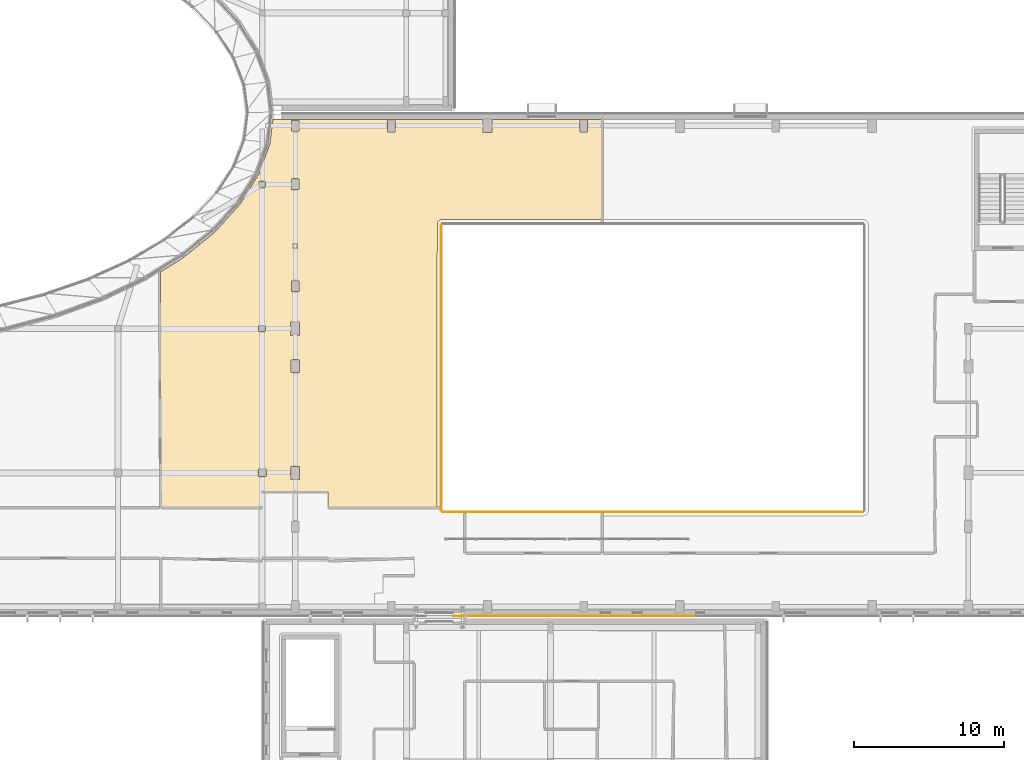
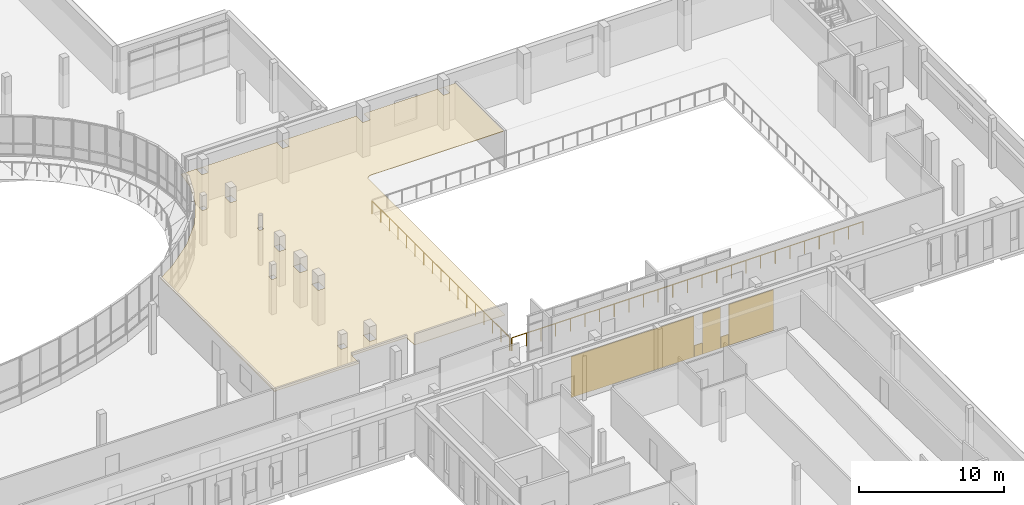
# One storey, part 72 of 84: 6 coverings, 2 railings.
"""IFC4 building model written with IfcOpenShell, lengths in metres."""

from ifc_helpers import new_model, si_unit, direction, frame, origin, origin_2d, place, context, subcontext, project, spatial, polyline, rectangle, circle, outline, extrude, material, layer, layer_set, type_object, element, save


model = new_model("IFC4")

# Units and contexts
model_context = context("Model", 3, precision=1e-05, world=origin(), true_north=direction((0.0, 1.0)))
body_context = subcontext(model_context, "Body", "Model", "MODEL_VIEW")
ifc_project = project(units=[si_unit("LENGTHUNIT", "METRE"), si_unit("AREAUNIT", "SQUARE_METRE"), si_unit("VOLUMEUNIT", "CUBIC_METRE"), si_unit("PLANEANGLEUNIT", "RADIAN"), si_unit("MASSUNIT", "GRAM", prefix="KILO")], contexts=[model_context])

# Site, building, storey
site_placement = place(None, origin())
site = spatial("IfcSite", under=ifc_project, at=site_placement, CompositionType="ELEMENT")
building_placement = place(site_placement, origin())
building = spatial("IfcBuilding", under=site, at=building_placement, Name="Mzevani Central Library", CompositionType="ELEMENT")
storey_placement = place(building_placement, frame((0.0, 0.0, 5.39990234375)))
storey = spatial("IfcBuildingStorey", under=building, at=storey_placement, Name="L01", CompositionType="ELEMENT", Elevation=5.39990234375)

# Railings
ifc_material_1 = material(Name="Brushed stainless steel rail", Category="steel")
railing_type = type_object("IfcRailingType", Name="Interior Gallery and Stair Guard 1100", PredefinedType="BALUSTRADE", material=ifc_material_1)
railing_1_placement = place(storey_placement, frame((152.0, 49.39990234375, 0.0)))
element("IfcRailing", 1, at=railing_1_placement, inside=storey, type_object=railing_type, Name="L01 V1 Double-Height Void Guard 1", PredefinedType="BALUSTRADE", context=body_context, shape_type="SweptSolid", body=[
    extrude(circle(Radius=0.02392578125, at=origin_2d()), frame((0.0, 0.0, 1.076171875), z_axis=(-1.0, 0.0, 0.0), x_axis=(0.0, -1.0, 0.0)), (0.0, 0.0, 1.0), 28.0),
    extrude(circle(Radius=0.02099609375, at=origin_2d()), origin(), (0.0, 0.0, 1.0), 1.052001953125),
    extrude(circle(Radius=0.02099609375, at=origin_2d()), frame((-1.166748046875, 0.0, 0.0)), (0.0, 0.0, 1.0), 1.052001953125),
    extrude(circle(Radius=0.02099609375, at=origin_2d()), frame((-2.333251953125, 0.0, 0.0)), (0.0, 0.0, 1.0), 1.052001953125),
    extrude(circle(Radius=0.02099609375, at=origin_2d()), frame((-3.5, 0.0, 0.0)), (0.0, 0.0, 1.0), 1.052001953125),
    extrude(circle(Radius=0.02099609375, at=origin_2d()), frame((-4.666748046875, 0.0, 0.0)), (0.0, 0.0, 1.0), 1.052001953125),
    extrude(circle(Radius=0.02099609375, at=origin_2d()), frame((-5.833251953125, 0.0, 0.0)), (0.0, 0.0, 1.0), 1.052001953125),
    extrude(circle(Radius=0.02099609375, at=origin_2d()), frame((-7.0, 0.0, 0.0)), (0.0, 0.0, 1.0), 1.052001953125),
    extrude(circle(Radius=0.02099609375, at=origin_2d()), frame((-8.166748046875, 0.0, 0.0)), (0.0, 0.0, 1.0), 1.052001953125),
    extrude(circle(Radius=0.02099609375, at=origin_2d()), frame((-9.333251953125, 0.0, 0.0)), (0.0, 0.0, 1.0), 1.052001953125),
    extrude(circle(Radius=0.02099609375, at=origin_2d()), frame((-10.5, 0.0, 0.0)), (0.0, 0.0, 1.0), 1.052001953125),
    extrude(circle(Radius=0.02099609375, at=origin_2d()), frame((-11.666748046875, 0.0, 0.0)), (0.0, 0.0, 1.0), 1.052001953125),
    extrude(circle(Radius=0.02099609375, at=origin_2d()), frame((-12.833251953125, 0.0, 0.0)), (0.0, 0.0, 1.0), 1.052001953125),
    extrude(circle(Radius=0.02099609375, at=origin_2d()), frame((-14.0, 0.0, 0.0)), (0.0, 0.0, 1.0), 1.052001953125),
    extrude(circle(Radius=0.02099609375, at=origin_2d()), frame((-15.166748046875, 0.0, 0.0)), (0.0, 0.0, 1.0), 1.052001953125),
    extrude(circle(Radius=0.02099609375, at=origin_2d()), frame((-16.333251953125, 0.0, 0.0)), (0.0, 0.0, 1.0), 1.052001953125),
    extrude(circle(Radius=0.02099609375, at=origin_2d()), frame((-17.5, 0.0, 0.0)), (0.0, 0.0, 1.0), 1.052001953125),
    extrude(circle(Radius=0.02099609375, at=origin_2d()), frame((-18.666748046875, 0.0, 0.0)), (0.0, 0.0, 1.0), 1.052001953125),
    extrude(circle(Radius=0.02099609375, at=origin_2d()), frame((-19.833251953125, 0.0, 0.0)), (0.0, 0.0, 1.0), 1.052001953125),
    extrude(circle(Radius=0.02099609375, at=origin_2d()), frame((-21.0, 0.0, 0.0)), (0.0, 0.0, 1.0), 1.052001953125),
    extrude(circle(Radius=0.02099609375, at=origin_2d()), frame((-22.166748046875, 0.0, 0.0)), (0.0, 0.0, 1.0), 1.052001953125),
    extrude(circle(Radius=0.02099609375, at=origin_2d()), frame((-23.333251953125, 0.0, 0.0)), (0.0, 0.0, 1.0), 1.052001953125),
    extrude(circle(Radius=0.02099609375, at=origin_2d()), frame((-24.5, 0.0, 0.0)), (0.0, 0.0, 1.0), 1.052001953125),
    extrude(circle(Radius=0.02099609375, at=origin_2d()), frame((-25.666748046875, 0.0, 0.0)), (0.0, 0.0, 1.0), 1.052001953125),
    extrude(circle(Radius=0.02099609375, at=origin_2d()), frame((-26.833251953125, 0.0, 0.0)), (0.0, 0.0, 1.0), 1.052001953125),
    extrude(circle(Radius=0.02099609375, at=origin_2d()), frame((-28.0, 0.0, 0.0)), (0.0, 0.0, 1.0), 1.052001953125),
])
railing_2_placement = place(storey_placement, frame((123.89990234375, 49.5, 0.0)))
element("IfcRailing", 2, at=railing_2_placement, inside=storey, type_object=railing_type, Name="L01 V1 Double-Height Void Guard 2", PredefinedType="BALUSTRADE", context=body_context, shape_type="SweptSolid", body=[
    extrude(circle(Radius=0.02392578125, at=origin_2d()), frame((0.0, 0.0, 1.076171875), z_axis=(0.0, 1.0, 0.0), x_axis=(-1.0, 0.0, 0.0)), (0.0, 0.0, 1.0), 19.0),
    extrude(circle(Radius=0.02099609375, at=origin_2d()), origin(), (0.0, 0.0, 1.0), 1.052001953125),
    extrude(circle(Radius=0.02099609375, at=origin_2d()), frame((0.0, 1.1875, 0.0)), (0.0, 0.0, 1.0), 1.052001953125),
    extrude(circle(Radius=0.02099609375, at=origin_2d()), frame((0.0, 2.375, 0.0)), (0.0, 0.0, 1.0), 1.052001953125),
    extrude(circle(Radius=0.02099609375, at=origin_2d()), frame((0.0, 3.5625, 0.0)), (0.0, 0.0, 1.0), 1.052001953125),
    extrude(circle(Radius=0.02099609375, at=origin_2d()), frame((0.0, 4.75, 0.0)), (0.0, 0.0, 1.0), 1.052001953125),
    extrude(circle(Radius=0.02099609375, at=origin_2d()), frame((0.0, 5.9375, 0.0)), (0.0, 0.0, 1.0), 1.052001953125),
    extrude(circle(Radius=0.02099609375, at=origin_2d()), frame((0.0, 7.125, 0.0)), (0.0, 0.0, 1.0), 1.052001953125),
    extrude(circle(Radius=0.02099609375, at=origin_2d()), frame((0.0, 8.3125, 0.0)), (0.0, 0.0, 1.0), 1.052001953125),
    extrude(circle(Radius=0.02099609375, at=origin_2d()), frame((0.0, 9.5, 0.0)), (0.0, 0.0, 1.0), 1.052001953125),
    extrude(circle(Radius=0.02099609375, at=origin_2d()), frame((0.0, 10.6875, 0.0)), (0.0, 0.0, 1.0), 1.052001953125),
    extrude(circle(Radius=0.02099609375, at=origin_2d()), frame((0.0, 11.875, 0.0)), (0.0, 0.0, 1.0), 1.052001953125),
    extrude(circle(Radius=0.02099609375, at=origin_2d()), frame((0.0, 13.0625, 0.0)), (0.0, 0.0, 1.0), 1.052001953125),
    extrude(circle(Radius=0.02099609375, at=origin_2d()), frame((0.0, 14.25, 0.0)), (0.0, 0.0, 1.0), 1.052001953125),
    extrude(circle(Radius=0.02099609375, at=origin_2d()), frame((0.0, 15.4375, 0.0)), (0.0, 0.0, 1.0), 1.052001953125),
    extrude(circle(Radius=0.02099609375, at=origin_2d()), frame((0.0, 16.625, 0.0)), (0.0, 0.0, 1.0), 1.052001953125),
    extrude(circle(Radius=0.02099609375, at=origin_2d()), frame((0.0, 17.8125, 0.0)), (0.0, 0.0, 1.0), 1.052001953125),
    extrude(circle(Radius=0.02099609375, at=origin_2d()), frame((0.0, 19.0, 0.0)), (0.0, 0.0, 1.0), 1.052001953125),
])

# Coverings
ifc_material_2 = material(Name="Limestone ashlar cladding", Category="masonry")
ifc_layer_1 = layer(ifc_material_2, 0.050048828125, Name="Limestone Ashlar Spandrel Cladding")
ifc_layer_set_1 = layer_set([ifc_layer_1], Name="Limestone ashlar cladding")
covering_type_1 = type_object("IfcCoveringType", Name="Limestone Ashlar Spandrel Cladding", PredefinedType="CLADDING", material=ifc_layer_set_1)
covering_1_placement = place(storey_placement, frame((139.072509765625, 42.47607421875, 0.0), z_axis=(0.0, 0.0, 1.0), x_axis=(-1.0, 0.0, 0.0)))
element("IfcCovering", 3, at=covering_1_placement, inside=storey, type_object=covering_type_1, Name="L01 Warm-White Facade Pier 15 (EW4-V1-L01-0006)", PredefinedType="CLADDING", context=body_context, shape_type="SweptSolid", body=[
    extrude(rectangle(XDim=3.5849609375, YDim=0.050048828125, at=origin_2d()), origin(), (0.0, 0.0, 1.0), 3.449951171875),
])
covering_2_placement = place(storey_placement, frame((136.9599609375, 42.47607421875, 0.0), z_axis=(0.0, 0.0, 1.0), x_axis=(-1.0, 0.0, 0.0)))
element("IfcCovering", 4, at=covering_2_placement, inside=storey, type_object=covering_type_1, Name="L01 Warm-White Sill Cladding 16 (EW4-V1-L01-0006)", PredefinedType="CLADDING", context=body_context, shape_type="SweptSolid", body=[
    extrude(rectangle(XDim=0.60009765625, YDim=0.050048828125, at=origin_2d()), origin(), (0.0, 0.0, 1.0), 0.949951171875),
])
covering_3_placement = place(storey_placement, frame((135.922607421875, 42.47607421875, 0.0), z_axis=(0.0, 0.0, 1.0), x_axis=(-1.0, 0.0, 0.0)))
element("IfcCovering", 5, at=covering_3_placement, inside=storey, type_object=covering_type_1, Name="L01 Warm-White Facade Pier 17 (EW4-V1-L01-0006)", PredefinedType="CLADDING", context=body_context, shape_type="SweptSolid", body=[
    extrude(rectangle(XDim=1.43505859375, YDim=0.050048828125, at=origin_2d()), origin(), (0.0, 0.0, 1.0), 3.449951171875),
])
covering_4_placement = place(storey_placement, frame((134.860107421875, 42.47607421875, 0.0), z_axis=(0.0, 0.0, 1.0), x_axis=(-1.0, 0.0, 0.0)))
element("IfcCovering", 6, at=covering_4_placement, inside=storey, type_object=covering_type_1, Name="L01 Warm-White Sill Cladding 18 (EW4-V1-L01-0006)", PredefinedType="CLADDING", context=body_context, shape_type="SweptSolid", body=[
    extrude(rectangle(XDim=0.64990234375, YDim=0.050048828125, at=origin_2d()), origin(), (0.0, 0.0, 1.0), 0.949951171875),
])
covering_5_placement = place(storey_placement, frame((129.617431640625, 42.47607421875, 0.0), z_axis=(0.0, 0.0, 1.0), x_axis=(-1.0, 0.0, 0.0)))
element("IfcCovering", 7, at=covering_5_placement, inside=storey, type_object=covering_type_1, Name="L01 Warm-White Facade Pier 19 (EW4-V1-L01-0006)", PredefinedType="CLADDING", context=body_context, shape_type="SweptSolid", body=[
    extrude(rectangle(XDim=9.794921875, YDim=0.050048828125, at=origin_2d()), origin(), (0.0, 0.0, 1.0), 3.449951171875),
])
ifc_material_3 = material(Name="Mineral wool acoustic ceiling")
ifc_layer_2 = layer(ifc_material_3, 0.0400390625, Name="Perforated Timber Acoustic Ceiling")
ifc_layer_set_2 = layer_set([ifc_layer_2], Name="Mineral wool acoustic ceiling")
covering_type_2 = type_object("IfcCoveringType", Name="Perforated Timber Acoustic Ceiling", PredefinedType="CEILING", material=ifc_layer_set_2)
covering_6_placement = place(storey_placement, frame((0.0, 0.0, 2.9501953125)))
element("IfcCovering", 8, at=covering_6_placement, inside=storey, type_object=covering_type_2, Name="L01 Collaborative Group Study Room B Acoustic Ceiling", PredefinedType="CEILING", context=body_context, shape_type="SweptSolid", body=[
    extrude(outline(polyline([(134.635009765625, 75.530029296875), (134.640625, 68.87158203125), (124.00146484375, 68.8701171875), (123.794677734375, 68.807373046875), (123.658935546875, 68.641845703125), (123.626220703125, 49.67236328125), (116.39892578125, 49.669921875), (116.389892578125, 50.722900390625), (112.010009765625, 50.722900390625), (112.0009765625, 49.669921875), (105.2421875, 49.673583984375), (105.240478515625, 65.380859375), (106.725341796875, 66.302490234375), (108.849365234375, 68.025146484375), (110.55224609375, 69.906494140625), (111.780029296875, 71.884521484375), (112.5166015625, 73.90185546875), (112.718505859375, 75.52783203125), (126.699951171875, 75.530029296875), (126.699951171875, 74.64990234375), (127.300048828125, 74.64990234375), (127.300048828125, 75.530029296875), (134.635009765625, 75.530029296875)]), holes=[polyline([(112.25, 52.25), (111.75, 52.25), (111.75, 51.75), (112.25, 51.75), (112.25, 52.25)]), polyline([(112.199951171875, 61.39990234375), (112.199951171875, 61.800048828125), (111.800048828125, 61.800048828125), (111.800048828125, 61.39990234375), (112.199951171875, 61.39990234375)]), polyline([(111.800048828125, 71.0), (112.199951171875, 71.0), (112.199951171875, 71.39990234375), (111.800048828125, 71.39990234375), (111.800048828125, 71.0)]), polyline([(113.925048828125, 52.425048828125), (113.925048828125, 51.574951171875), (114.47509765625, 51.574951171875), (114.47509765625, 52.425048828125), (113.925048828125, 52.425048828125)]), polyline([(114.5, 62.050048828125), (113.89990234375, 62.050048828125), (113.89990234375, 61.14990234375), (114.5, 61.14990234375), (114.5, 62.050048828125)]), polyline([(114.449951171875, 70.85009765625), (114.449951171875, 71.550048828125), (113.949951171875, 71.550048828125), (113.949951171875, 70.85009765625), (114.449951171875, 70.85009765625)]), polyline([(113.949951171875, 74.75), (114.449951171875, 74.75), (114.449951171875, 75.449951171875), (113.949951171875, 75.449951171875), (113.949951171875, 74.75)]), polyline([(120.35009765625, 75.5), (120.35009765625, 74.699951171875), (120.85009765625, 74.699951171875), (120.85009765625, 75.5), (120.35009765625, 75.5)]), polyline([(133.64990234375, 74.699951171875), (133.64990234375, 75.5), (133.14990234375, 75.5), (133.14990234375, 74.699951171875), (133.64990234375, 74.699951171875)]), polyline([(113.925048828125, 58.675048828125), (114.47509765625, 58.675048828125), (114.47509765625, 59.52490234375), (113.925048828125, 59.52490234375), (113.925048828125, 58.675048828125)]), polyline([(113.949951171875, 64.782958984375), (113.949951171875, 64.0830078125), (114.449951171875, 64.0830078125), (114.449951171875, 64.782958984375), (113.949951171875, 64.782958984375)]), polyline([(114.362060546875, 67.261962890625), (114.0380859375, 67.261962890625), (114.0380859375, 66.93798828125), (114.362060546875, 66.93798828125), (114.362060546875, 67.261962890625)])]), origin(), (0.0, 0.0, 1.0), 0.039794921875),
])

save(model, "model.ifc")
